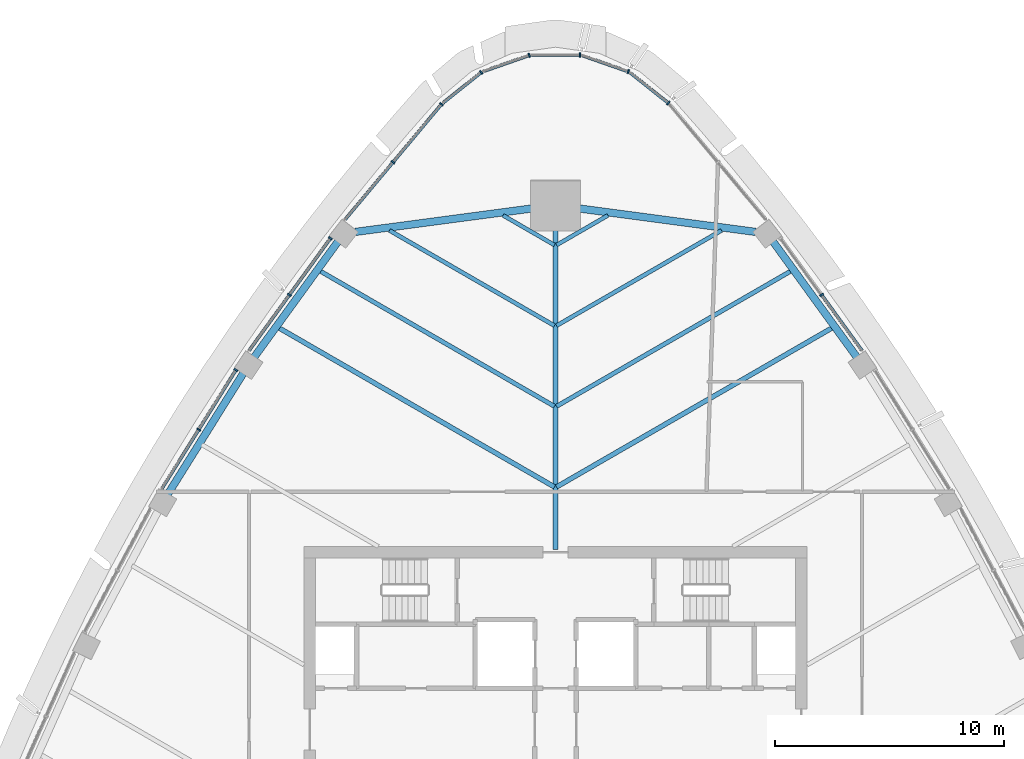
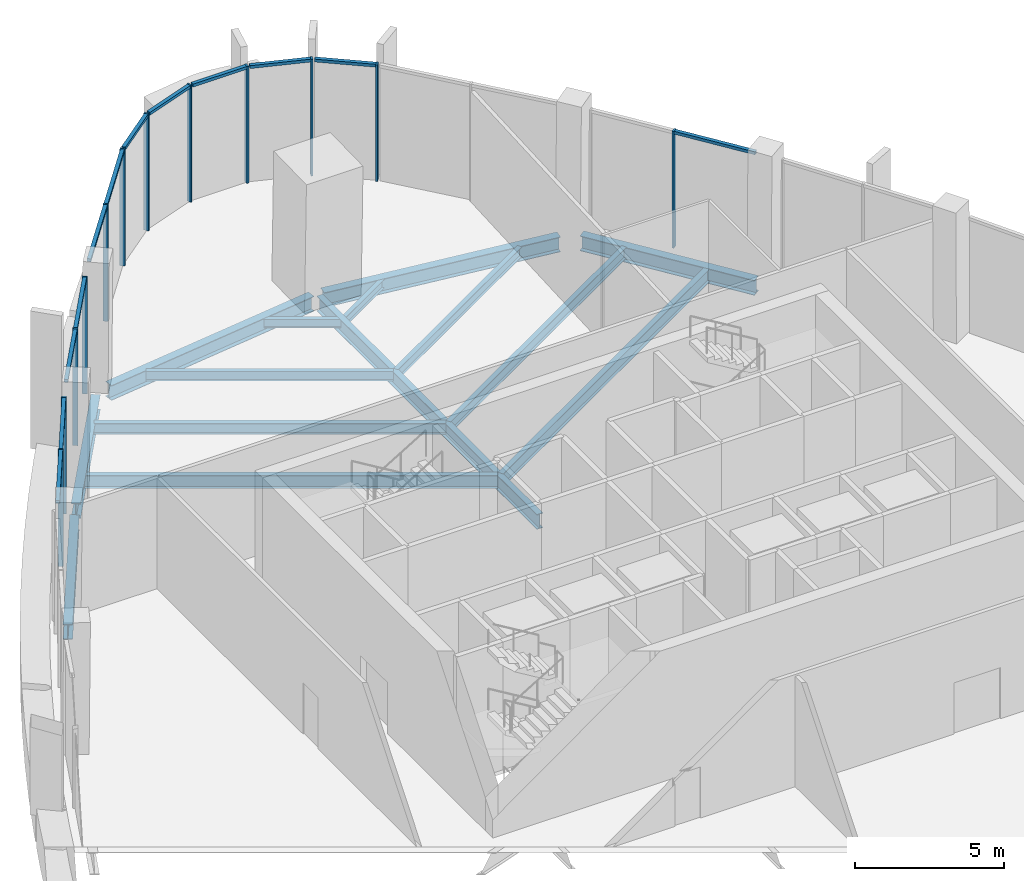
# One storey, part 5 of 19: 24 members, 14 beams, 9 elements without a shape of their own.
"""IFC4 building model written with IfcOpenShell, lengths in metres."""

from ifc_helpers import new_model, si_unit, direction, frame, origin, origin_2d, place, context, subcontext, project, spatial, rectangle, i_section, extrude, material, layer, layer_set, material_profile, profile_set, type_object, element, aggregate, save


model = new_model("IFC4")

# Units and contexts
model_context = context("Model", 3, precision=1e-05, world=origin(), true_north=direction((0.0, 1.0)))
body_context = subcontext(model_context, "Body", "Model", "MODEL_VIEW")
ifc_project = project(units=[si_unit("LENGTHUNIT", "METRE"), si_unit("AREAUNIT", "SQUARE_METRE"), si_unit("VOLUMEUNIT", "CUBIC_METRE"), si_unit("PLANEANGLEUNIT", "RADIAN"), si_unit("MASSUNIT", "GRAM", prefix="KILO")], contexts=[model_context])

# Site, building, storey
site_placement = place(None, origin())
site = spatial("IfcSite", under=ifc_project, at=site_placement, CompositionType="ELEMENT")
building_placement = place(site_placement, origin())
building = spatial("IfcBuilding", under=site, at=building_placement, Name="Sierra Prisma Convention Tower", CompositionType="ELEMENT")
storey_placement = place(building_placement, frame((0.0, 0.0, 319.0)))
storey = spatial("IfcBuildingStorey", under=building, at=storey_placement, Name="L73", CompositionType="ELEMENT", Elevation=319.0)

# Curtain wall, member
ifc_material_1 = material(Name="Aluminium and glass curtain wall", Category="aluminium")
ifc_layer = layer(ifc_material_1, 0.179931640625)
ifc_layer_set = layer_set([ifc_layer], Name="CW-1 Plain shaft curtain wall")
curtain_wall_type = type_object("IfcCurtainWallType", Name="CW-1 Plain shaft curtain wall", PredefinedType="NOTDEFINED", material=ifc_layer_set)
curtain_wall_1_placement = place(storey_placement, origin())
curtain_wall_1 = element("IfcCurtainWall", 1, at=curtain_wall_1_placement, inside=storey, type_object=curtain_wall_type, Name="CW-1 NE5 L73", PredefinedType="NOTDEFINED")
ifc_material_2 = material(Name="Aluminium 6063-T6 bronze anodised", Category="aluminium")
ifc_material_profile_1 = material_profile(ifc_material_2, rectangle(XDim=0.179931640625, YDim=0.070068359375, at=origin_2d()), Name="ALU MULLION 70x180")
ifc_profile_set_1 = profile_set([ifc_material_profile_1], Name="Aluminium 6063-T6 bronze anodised")
member_type_1 = type_object("IfcMemberType", Name="CW mullion bronze", PredefinedType="MULLION", material=ifc_profile_set_1)
member_1_placement = place(storey_placement, frame((11.6328125, 19.0009765625, 0.0), z_axis=(0.0, 0.0, 1.0), x_axis=(-0.80963201009, -0.586937823145, 0.0)))
member_1 = element("IfcMember", 2, at=member_1_placement, type_object=member_type_1, Name="CW-1 mullion NE5.2", PredefinedType="MULLION", context=body_context, shape_type="SweptSolid", body=[
    extrude(rectangle(XDim=0.179931640625, YDim=0.070068359375, at=origin_2d()), origin(), (0.0, 0.0, 1.0), 4.800048828125),
])

curtain_wall_2_placement = place(storey_placement, origin())
curtain_wall_2 = element("IfcCurtainWall", 3, at=curtain_wall_2_placement, inside=storey, type_object=curtain_wall_type, Name="CW-1 N1 L73", PredefinedType="NOTDEFINED")
member_2_placement = place(storey_placement, frame((4.9345703125, 27.38671875, 0.0), z_axis=(0.0, 0.0, 1.0), x_axis=(-0.622459853984, -0.782651729813, 0.0)))
member_2 = element("IfcMember", 4, at=member_2_placement, type_object=member_type_1, Name="CW-1 mullion N1.1", PredefinedType="MULLION", context=body_context, shape_type="SweptSolid", body=[
    extrude(rectangle(XDim=0.179931640625, YDim=0.070068359375, at=origin_2d()), origin(), (0.0, 0.0, 1.0), 4.800048828125),
])

curtain_wall_3_placement = place(storey_placement, origin())
curtain_wall_3 = element("IfcCurtainWall", 5, at=curtain_wall_3_placement, inside=storey, type_object=curtain_wall_type, Name="CW-1 N2 L73", PredefinedType="NOTDEFINED")
member_3_placement = place(storey_placement, frame((3.184814453125, 28.763427734375, 0.0), z_axis=(0.0, 0.0, 1.0), x_axis=(-0.329657602807, -0.944100558686, 0.0)))
member_3 = element("IfcMember", 6, at=member_3_placement, type_object=member_type_1, Name="CW-1 mullion N2.1", PredefinedType="MULLION", context=body_context, shape_type="SweptSolid", body=[
    extrude(rectangle(XDim=0.179931640625, YDim=0.070068359375, at=origin_2d()), origin(), (0.0, 0.0, 1.0), 4.800048828125),
])

curtain_wall_4_placement = place(storey_placement, origin())
curtain_wall_4 = element("IfcCurtainWall", 7, at=curtain_wall_4_placement, inside=storey, type_object=curtain_wall_type, Name="CW-1 N3 L73", PredefinedType="NOTDEFINED")
member_4_placement = place(storey_placement, frame((1.0791015625, 29.486572265625, 0.0), z_axis=(0.0, 0.0, 1.0), x_axis=(0.0, -1.0, 0.0)))
member_4 = element("IfcMember", 8, at=member_4_placement, type_object=member_type_1, Name="CW-1 mullion N3.1", PredefinedType="MULLION", context=body_context, shape_type="SweptSolid", body=[
    extrude(rectangle(XDim=0.179931640625, YDim=0.070068359375, at=origin_2d()), origin(), (0.0, 0.0, 1.0), 4.800048828125),
])

curtain_wall_5_placement = place(storey_placement, origin())
curtain_wall_5 = element("IfcCurtainWall", 9, at=curtain_wall_5_placement, inside=storey, type_object=curtain_wall_type, Name="CW-1 N4 L73", PredefinedType="NOTDEFINED")
member_5_placement = place(storey_placement, frame((-1.147216796875, 29.474853515625, 0.0), z_axis=(0.0, 0.0, 1.0), x_axis=(0.329657602807, -0.944100558686, 0.0)))
member_5 = element("IfcMember", 10, at=member_5_placement, type_object=member_type_1, Name="CW-1 mullion N4.1", PredefinedType="MULLION", context=body_context, shape_type="SweptSolid", body=[
    extrude(rectangle(XDim=0.179931640625, YDim=0.070068359375, at=origin_2d()), origin(), (0.0, 0.0, 1.0), 4.800048828125),
])

curtain_wall_6_placement = place(storey_placement, origin())
curtain_wall_6 = element("IfcCurtainWall", 11, at=curtain_wall_6_placement, inside=storey, type_object=curtain_wall_type, Name="CW-1 N5 L73", PredefinedType="NOTDEFINED")
member_6_placement = place(storey_placement, frame((-3.245361328125, 28.730224609375, 0.0), z_axis=(0.0, 0.0, 1.0), x_axis=(0.622459853984, -0.782651729813, 0.0)))
member_6 = element("IfcMember", 12, at=member_6_placement, type_object=member_type_1, Name="CW-1 mullion N5.1", PredefinedType="MULLION", context=body_context, shape_type="SweptSolid", body=[
    extrude(rectangle(XDim=0.179931640625, YDim=0.070068359375, at=origin_2d()), origin(), (0.0, 0.0, 1.0), 4.800048828125),
])

# Curtain wall, members
curtain_wall_7_placement = place(storey_placement, origin())
curtain_wall_7 = element("IfcCurtainWall", 13, at=curtain_wall_7_placement, inside=storey, type_object=curtain_wall_type, Name="CW-1 NW1 L73", PredefinedType="NOTDEFINED")
member_7_placement = place(storey_placement, frame((-4.984375, 27.338134765625, 0.0), z_axis=(0.0, 0.0, 1.0), x_axis=(0.767165028207, -0.641449779403, 0.0)))
member_7 = element("IfcMember", 14, at=member_7_placement, type_object=member_type_1, Name="CW-1 mullion NW1.1", PredefinedType="MULLION", context=body_context, shape_type="SweptSolid", body=[
    extrude(rectangle(XDim=0.179931640625, YDim=0.070068359375, at=origin_2d()), origin(), (0.0, 0.0, 1.0), 4.800048828125),
])
member_8_placement = place(storey_placement, frame((-7.101806640625, 24.8056640625, 0.0), z_axis=(0.0, 0.0, 1.0), x_axis=(0.767165028207, -0.641449779403, 0.0)))
member_8 = element("IfcMember", 15, at=member_8_placement, type_object=member_type_1, Name="CW-1 mullion NW1.2", PredefinedType="MULLION", context=body_context, shape_type="SweptSolid", body=[
    extrude(rectangle(XDim=0.179931640625, YDim=0.070068359375, at=origin_2d()), origin(), (0.0, 0.0, 1.0), 4.800048828125),
])

curtain_wall_8_placement = place(storey_placement, origin())
curtain_wall_8 = element("IfcCurtainWall", 16, at=curtain_wall_8_placement, inside=storey, type_object=curtain_wall_type, Name="CW-1 NW2 L73", PredefinedType="NOTDEFINED")
member_9_placement = place(storey_placement, frame((-9.840576171875, 21.47314453125, 0.0), z_axis=(0.0, 0.0, 1.0), x_axis=(0.80963201009, -0.586937823145, 0.0)))
member_9 = element("IfcMember", 17, at=member_9_placement, type_object=member_type_1, Name="CW-1 mullion NW2.1", PredefinedType="MULLION", context=body_context, shape_type="SweptSolid", body=[
    extrude(rectangle(XDim=0.179931640625, YDim=0.070068359375, at=origin_2d()), origin(), (0.0, 0.0, 1.0), 4.800048828125),
])
member_10_placement = place(storey_placement, frame((-11.63330078125, 19.000244140625, 0.0), z_axis=(0.0, 0.0, 1.0), x_axis=(0.80963201009, -0.586937823145, 0.0)))
member_10 = element("IfcMember", 18, at=member_10_placement, type_object=member_type_1, Name="CW-1 mullion NW2.2", PredefinedType="MULLION", context=body_context, shape_type="SweptSolid", body=[
    extrude(rectangle(XDim=0.179931640625, YDim=0.070068359375, at=origin_2d()), origin(), (0.0, 0.0, 1.0), 4.800048828125),
])

curtain_wall_9_placement = place(storey_placement, origin())
curtain_wall_9 = element("IfcCurtainWall", 19, at=curtain_wall_9_placement, inside=storey, type_object=curtain_wall_type, Name="CW-1 NW3 L73", PredefinedType="NOTDEFINED")
member_11_placement = place(storey_placement, frame((-13.973876953125, 15.713134765625, 0.0), z_axis=(0.0, 0.0, 1.0), x_axis=(0.848233000795, -0.529623240013, 0.0)))
member_11 = element("IfcMember", 20, at=member_11_placement, type_object=member_type_1, Name="CW-1 mullion NW3.1", PredefinedType="MULLION", context=body_context, shape_type="SweptSolid", body=[
    extrude(rectangle(XDim=0.179931640625, YDim=0.070068359375, at=origin_2d()), origin(), (0.0, 0.0, 1.0), 4.800048828125),
])
member_12_placement = place(storey_placement, frame((-15.599853515625, 13.109130859375, 0.0), z_axis=(0.0, 0.0, 1.0), x_axis=(0.848233000795, -0.529623240013, 0.0)))
member_12 = element("IfcMember", 21, at=member_12_placement, type_object=member_type_1, Name="CW-1 mullion NW3.2", PredefinedType="MULLION", context=body_context, shape_type="SweptSolid", body=[
    extrude(rectangle(XDim=0.179931640625, YDim=0.070068359375, at=origin_2d()), origin(), (0.0, 0.0, 1.0), 4.800048828125),
])

# Member
ifc_material_3 = material(Name="Aluminium 6063-T6 bronze anodised", Category="aluminium")
ifc_material_profile_2 = material_profile(ifc_material_3, rectangle(XDim=0.139892578125, YDim=0.1201171875, at=origin_2d()), Name="ALU TRANSOM 120x140")
ifc_profile_set_2 = profile_set([ifc_material_profile_2], Name="Aluminium 6063-T6 bronze anodised")
member_type_2 = type_object("IfcMemberType", Name="CW transom bronze", PredefinedType="USERDEFINED", material=ifc_profile_set_2)
member_13_placement = place(storey_placement, frame((13.4052734375, 16.5556640625, 4.739990234375), z_axis=(-0.586887157533, 0.8096687374, 0.0), x_axis=(-0.8096687374, -0.586887157533, 0.0)))
member_13 = element("IfcMember", 22, at=member_13_placement, type_object=member_type_2, Name="CW-1 transom NE5.1", ObjectType="TRANSOM", PredefinedType="USERDEFINED", context=body_context, shape_type="SweptSolid", body=[
    extrude(rectangle(XDim=0.139892578125, YDim=0.1201171875, at=origin_2d()), origin(), (0.0, 0.0, 1.0), 2.985107421875),
])

aggregate(curtain_wall_1, [member_1, member_13])

member_14_placement = place(storey_placement, frame((4.906982421875, 27.408447265625, 4.739990234375), z_axis=(-0.782645067311, 0.622468231008, 0.0), x_axis=(-0.622468231008, -0.782645067311, 0.0)))
member_14 = element("IfcMember", 23, at=member_14_placement, type_object=member_type_2, Name="CW-1 transom N1.1", ObjectType="TRANSOM", PredefinedType="USERDEFINED", context=body_context, shape_type="SweptSolid", body=[
    extrude(rectangle(XDim=0.139892578125, YDim=0.1201171875, at=origin_2d()), origin(), (0.0, 0.0, 1.0), 2.088134765625),
])

aggregate(curtain_wall_2, [member_2, member_14])

member_15_placement = place(storey_placement, frame((3.15185546875, 28.77490234375, 4.739990234375), z_axis=(-0.944098678993, 0.329662985978, 0.0), x_axis=(-0.329662985978, -0.944098678993, 0.0)))
member_15 = element("IfcMember", 24, at=member_15_placement, type_object=member_type_2, Name="CW-1 transom N2.1", ObjectType="TRANSOM", PredefinedType="USERDEFINED", context=body_context, shape_type="SweptSolid", body=[
    extrude(rectangle(XDim=0.139892578125, YDim=0.1201171875, at=origin_2d()), origin(), (0.0, 0.0, 1.0), 2.08837890625),
])

aggregate(curtain_wall_3, [member_3, member_15])

member_16_placement = place(storey_placement, frame((1.044189453125, 29.486572265625, 4.739990234375), z_axis=(-1.0, 0.0, 0.0), x_axis=(0.0, -1.0, 0.0)))
member_16 = element("IfcMember", 25, at=member_16_placement, type_object=member_type_2, Name="CW-1 transom N3.1", ObjectType="TRANSOM", PredefinedType="USERDEFINED", context=body_context, shape_type="SweptSolid", body=[
    extrude(rectangle(XDim=0.139892578125, YDim=0.1201171875, at=origin_2d()), origin(), (0.0, 0.0, 1.0), 2.08837890625),
])

aggregate(curtain_wall_4, [member_4, member_16])

member_17_placement = place(storey_placement, frame((-1.18017578125, 29.46337890625, 4.739990234375), z_axis=(-0.944098678993, -0.329662985978, 0.0), x_axis=(0.329662985978, -0.944098678993, 0.0)))
member_17 = element("IfcMember", 26, at=member_17_placement, type_object=member_type_2, Name="CW-1 transom N4.1", ObjectType="TRANSOM", PredefinedType="USERDEFINED", context=body_context, shape_type="SweptSolid", body=[
    extrude(rectangle(XDim=0.139892578125, YDim=0.1201171875, at=origin_2d()), origin(), (0.0, 0.0, 1.0), 2.08837890625),
])

aggregate(curtain_wall_5, [member_5, member_17])

member_18_placement = place(storey_placement, frame((-3.272705078125, 28.708251953125, 4.739990234375), z_axis=(-0.782645067311, -0.622468231008, 0.0), x_axis=(0.622468231008, -0.782645067311, 0.0)))
member_18 = element("IfcMember", 27, at=member_18_placement, type_object=member_type_2, Name="CW-1 transom N5.1", ObjectType="TRANSOM", PredefinedType="USERDEFINED", context=body_context, shape_type="SweptSolid", body=[
    extrude(rectangle(XDim=0.139892578125, YDim=0.1201171875, at=origin_2d()), origin(), (0.0, 0.0, 1.0), 2.088134765625),
])

aggregate(curtain_wall_6, [member_6, member_18])

member_19_placement = place(storey_placement, frame((-5.0068359375, 27.311279296875, 4.739990234375), z_axis=(-0.641439595197, -0.767173543413, 0.0), x_axis=(0.767173543413, -0.641439595197, 0.0)))
member_19 = element("IfcMember", 28, at=member_19_placement, type_object=member_type_2, Name="CW-1 transom NW1.1", ObjectType="TRANSOM", PredefinedType="USERDEFINED", context=body_context, shape_type="SweptSolid", body=[
    extrude(rectangle(XDim=0.139892578125, YDim=0.1201171875, at=origin_2d()), origin(), (0.0, 0.0, 1.0), 3.23095703125),
])

member_20_placement = place(storey_placement, frame((-7.124267578125, 24.77880859375, 4.739990234375), z_axis=(-0.641439595197, -0.767173543413, 0.0), x_axis=(0.767173543413, -0.641439595197, 0.0)))
member_20 = element("IfcMember", 29, at=member_20_placement, type_object=member_type_2, Name="CW-1 transom NW1.2", ObjectType="TRANSOM", PredefinedType="USERDEFINED", context=body_context, shape_type="SweptSolid", body=[
    extrude(rectangle(XDim=0.139892578125, YDim=0.1201171875, at=origin_2d()), origin(), (0.0, 0.0, 1.0), 3.23095703125),
])

aggregate(curtain_wall_7, [member_7, member_8, member_19, member_20])

member_21_placement = place(storey_placement, frame((-9.861083984375, 21.44482421875, 4.739990234375), z_axis=(-0.586950144636, -0.809623077556, 0.0), x_axis=(0.809623077556, -0.586950144636, 0.0)))
member_21 = element("IfcMember", 30, at=member_21_placement, type_object=member_type_2, Name="CW-1 transom NW2.1", ObjectType="TRANSOM", PredefinedType="USERDEFINED", context=body_context, shape_type="SweptSolid", body=[
    extrude(rectangle(XDim=0.139892578125, YDim=0.1201171875, at=origin_2d()), origin(), (0.0, 0.0, 1.0), 2.984375),
])

member_22_placement = place(storey_placement, frame((-11.65380859375, 18.971923828125, 4.739990234375), z_axis=(-0.58689651852, -0.80966195202, 0.0), x_axis=(0.80966195202, -0.58689651852, 0.0)))
member_22 = element("IfcMember", 31, at=member_22_placement, type_object=member_type_2, Name="CW-1 transom NW2.2", ObjectType="TRANSOM", PredefinedType="USERDEFINED", context=body_context, shape_type="SweptSolid", body=[
    extrude(rectangle(XDim=0.139892578125, YDim=0.1201171875, at=origin_2d()), origin(), (0.0, 0.0, 1.0), 2.984375),
])

aggregate(curtain_wall_8, [member_9, member_10, member_21, member_22])

member_23_placement = place(storey_placement, frame((-13.9921875, 15.68359375, 4.739990234375), z_axis=(-0.529647808083, -0.848217660387, 0.0), x_axis=(0.848217660387, -0.529647808083, 0.0)))
member_23 = element("IfcMember", 32, at=member_23_placement, type_object=member_type_2, Name="CW-1 transom NW3.1", ObjectType="TRANSOM", PredefinedType="USERDEFINED", context=body_context, shape_type="SweptSolid", body=[
    extrude(rectangle(XDim=0.139892578125, YDim=0.1201171875, at=origin_2d()), origin(), (0.0, 0.0, 1.0), 3.000244140625),
])

member_24_placement = place(storey_placement, frame((-15.6181640625, 13.079345703125, 4.739990234375), z_axis=(-0.529684366849, -0.848194831106, 0.0), x_axis=(0.848194831106, -0.529684366849, 0.0)))
member_24 = element("IfcMember", 33, at=member_24_placement, type_object=member_type_2, Name="CW-1 transom NW3.2", ObjectType="TRANSOM", PredefinedType="USERDEFINED", context=body_context, shape_type="SweptSolid", body=[
    extrude(rectangle(XDim=0.139892578125, YDim=0.1201171875, at=origin_2d()), origin(), (0.0, 0.0, 1.0), 3.0),
])

aggregate(curtain_wall_9, [member_11, member_12, member_23, member_24])

# Beams
ifc_material_4 = material(Name="Steel ASTM A992 Gr 50", Category="steel")
ifc_material_profile_3 = material_profile(ifc_material_4, i_section(OverallWidth=0.172119140625, OverallDepth=0.35791015625, WebThickness=0.0078125, FlangeThickness=0.01318359375, at=origin_2d()), Name="W360x57")
ifc_profile_set_3 = profile_set([ifc_material_profile_3], Name="Steel ASTM A992 Gr 50")
beam_type_1 = type_object("IfcBeamType", Name="Floor joist W360x57", PredefinedType="JOIST", material=ifc_profile_set_3)
for number, where, z_axis, x_axis, name in (
    (34, (2.29443359375, 22.477783203125, -0.3291015625), (-0.866041526567, -0.499972073481, 0.0), (0.499972073481, -0.866041526567, 0.0), "Floor joist L73 NE13"),
    (35, (-2.29443359375, 22.477783203125, -0.3291015625), (0.866041526567, -0.499972073481, 0.0), (0.499972073481, 0.866041526567, 0.0), "Floor joist L73 NW01"),
):
    element("IfcBeam", number, at=place(storey_placement, frame(where, z_axis=z_axis, x_axis=x_axis)), inside=storey, type_object=beam_type_1, Name=name, PredefinedType="JOIST", context=body_context, shape_type="SweptSolid", body=[
        extrude(i_section(OverallWidth=0.172119140625, OverallDepth=0.35791015625, WebThickness=0.0078125, FlangeThickness=0.01318359375, at=origin_2d()), origin(), (0.0, 0.0, 1.0), 2.596435546875),
    ])
ifc_material_5 = material(Name="Steel ASTM A992 Gr 50", Category="steel")
ifc_material_profile_4 = material_profile(ifc_material_5, i_section(OverallWidth=0.177978515625, OverallDepth=0.406982421875, WebThickness=0.0078125, FlangeThickness=0.0126953125, at=origin_2d()), Name="W410x60")
ifc_profile_set_4 = profile_set([ifc_material_profile_4], Name="Steel ASTM A992 Gr 50")
beam_type_2 = type_object("IfcBeamType", Name="Floor joist W410x60", PredefinedType="JOIST", material=ifc_profile_set_4)
for number, where, z_axis, x_axis, name in (
    (36, (7.258056640625, 21.818115234375, -0.353515625), (-0.866031805484, -0.499988911768, 0.0), (0.499988911768, -0.866031805484, 0.0), "Floor joist L73 NE12"),
    (37, (-7.258056640625, 21.818115234375, -0.353515625), (0.866031805484, -0.499988911768, 0.0), (0.499988911768, 0.866031805484, 0.0), "Floor joist L73 NW02"),
):
    element("IfcBeam", number, at=place(storey_placement, frame(where, z_axis=z_axis, x_axis=x_axis)), inside=storey, type_object=beam_type_2, Name=name, PredefinedType="JOIST", context=body_context, shape_type="SweptSolid", body=[
        extrude(i_section(OverallWidth=0.177978515625, OverallDepth=0.406982421875, WebThickness=0.0078125, FlangeThickness=0.0126953125, at=origin_2d()), origin(), (0.0, 0.0, 1.0), 8.327880859375),
    ])
ifc_material_6 = material(Name="Steel ASTM A992 Gr 50", Category="steel")
ifc_material_profile_5 = material_profile(ifc_material_6, i_section(OverallWidth=0.18994140625, OverallDepth=0.45703125, WebThickness=0.009033203125, FlangeThickness=0.014404296875, at=origin_2d()), Name="W460x74")
ifc_profile_set_5 = profile_set([ifc_material_profile_5], Name="Steel ASTM A992 Gr 50")
beam_type_3 = type_object("IfcBeamType", Name="Floor joist W460x74", PredefinedType="JOIST", material=ifc_profile_set_5)
for number, where, z_axis, x_axis, name in (
    (38, (10.30126953125, 20.049560546875, -0.37841796875), (-0.866026969698, -0.499997287748, 0.0), (0.499997287748, -0.866026969698, 0.0), "Floor joist L73 NE11"),
    (39, (-10.30126953125, 20.049560546875, -0.37841796875), (0.866026969698, -0.499997287748, 0.0), (0.499997287748, 0.866026969698, 0.0), "Floor joist L73 NW03"),
):
    element("IfcBeam", number, at=place(storey_placement, frame(where, z_axis=z_axis, x_axis=x_axis)), inside=storey, type_object=beam_type_3, Name=name, PredefinedType="JOIST", context=body_context, shape_type="SweptSolid", body=[
        extrude(i_section(OverallWidth=0.18994140625, OverallDepth=0.45703125, WebThickness=0.009033203125, FlangeThickness=0.014404296875, at=origin_2d()), origin(), (0.0, 0.0, 1.0), 11.841796875),
    ])
ifc_material_7 = material(Name="Steel ASTM A992 Gr 50", Category="steel")
ifc_material_profile_6 = material_profile(ifc_material_7, i_section(OverallWidth=0.208984375, OverallDepth=0.532958984375, WebThickness=0.01025390625, FlangeThickness=0.015625, at=origin_2d()), Name="W530x92")
ifc_profile_set_6 = profile_set([ifc_material_profile_6], Name="Steel ASTM A992 Gr 50")
beam_type_4 = type_object("IfcBeamType", Name="Floor joist W530x92", PredefinedType="JOIST", material=ifc_profile_set_6)
for number, where, z_axis, x_axis, name in (
    (40, (12.10302734375, 17.564208984375, -0.41650390625), (-0.866033151853, -0.499986579711, 0.0), (0.499986579711, -0.866033151853, 0.0), "Floor joist L73 NE10"),
    (41, (-12.10302734375, 17.564208984375, -0.41650390625), (0.866033151853, -0.499986579711, 0.0), (0.499986579711, 0.866033151853, 0.0), "Floor joist L73 NW04"),
):
    element("IfcBeam", number, at=place(storey_placement, frame(where, z_axis=z_axis, x_axis=x_axis)), inside=storey, type_object=beam_type_4, Name=name, PredefinedType="JOIST", context=body_context, shape_type="SweptSolid", body=[
        extrude(i_section(OverallWidth=0.208984375, OverallDepth=0.532958984375, WebThickness=0.01025390625, FlangeThickness=0.015625, at=origin_2d()), origin(), (0.0, 0.0, 1.0), 13.92236328125),
    ])
ifc_material_8 = material(Name="Steel ASTM A992 Gr 50", Category="steel")
ifc_material_profile_7 = material_profile(ifc_material_8, i_section(OverallWidth=0.22998046875, OverallDepth=0.616943359375, WebThickness=0.01318359375, FlangeThickness=0.022216796875, at=origin_2d()), Name="W610x140")
ifc_profile_set_7 = profile_set([ifc_material_profile_7], Name="Steel ASTM A992 Gr 50")
beam_type_5 = type_object("IfcBeamType", Name="Radial girder W610x140", PredefinedType="BEAM", material=ifc_profile_set_7)
beam_1_placement = place(storey_placement, frame((0.0, 22.696044921875, -0.45849609375), z_axis=(0.0, -1.0, 0.0), x_axis=(1.0, 0.0, 0.0)))
element("IfcBeam", 42, at=beam_1_placement, inside=storey, type_object=beam_type_5, Name="Radial girder L73 N", PredefinedType="BEAM", context=body_context, shape_type="SweptSolid", body=[
    extrude(i_section(OverallWidth=0.22998046875, OverallDepth=0.616943359375, WebThickness=0.01318359375, FlangeThickness=0.022216796875, at=origin_2d()), origin(), (0.0, 0.0, 1.0), 14.816162109375),
])
ifc_material_9 = material(Name="Steel ASTM A992 Gr 50", Category="steel")
ifc_material_profile_8 = material_profile(ifc_material_9, i_section(OverallWidth=0.324951171875, OverallDepth=0.615966796875, WebThickness=0.013916015625, FlangeThickness=0.021484375, at=origin_2d()), Name="W610x174")
ifc_profile_set_8 = profile_set([ifc_material_profile_8], Name="Steel ASTM A992 Gr 50")
beam_type_6 = type_object("IfcBeamType", Name="Spandrel beam W610x174", PredefinedType="BEAM", material=ifc_profile_set_8)
beam_2_placement = place(storey_placement, frame((13.2265625, 16.206787109375, -0.4580078125), z_axis=(-0.586978136576, 0.809602783581, 0.0), x_axis=(-0.809602783581, -0.586978136576, 0.0)))
element("IfcBeam", 43, at=beam_2_placement, inside=storey, type_object=beam_type_6, Name="Spandrel L73-11", PredefinedType="BEAM", context=body_context, shape_type="SweptSolid", body=[
    extrude(i_section(OverallWidth=0.324951171875, OverallDepth=0.615966796875, WebThickness=0.013916015625, FlangeThickness=0.021484375, at=origin_2d()), origin(), (0.0, 0.0, 1.0), 6.437255859375),
])
for number, where, z_axis, x_axis, name in (
    (44, (8.74755859375, 21.753173828125, -0.4580078125), (-0.9912806156, 0.131767754537, 0.0), (-0.131767754537, -0.9912806156, 0.0), "Spandrel L73-12"),
    (45, (-0.219970703125, 22.88671875, -0.4580078125), (-0.9912806156, -0.131767754537, 0.0), (0.131767754537, -0.9912806156, 0.0), "Spandrel L73-13"),
):
    element("IfcBeam", number, at=place(storey_placement, frame(where, z_axis=z_axis, x_axis=x_axis)), inside=storey, type_object=beam_type_6, Name=name, PredefinedType="BEAM", context=body_context, shape_type="SweptSolid", body=[
        extrude(i_section(OverallWidth=0.324951171875, OverallDepth=0.615966796875, WebThickness=0.013916015625, FlangeThickness=0.021484375, at=origin_2d()), origin(), (0.0, 0.0, 1.0), 8.6025390625),
    ])
beam_3_placement = place(storey_placement, frame((-9.447998046875, 21.41845703125, -0.4580078125), z_axis=(-0.586978136576, -0.809602783581, 0.0), x_axis=(0.809602783581, -0.586978136576, 0.0)))
element("IfcBeam", 46, at=beam_3_placement, inside=storey, type_object=beam_type_6, Name="Spandrel L73-14", PredefinedType="BEAM", context=body_context, shape_type="SweptSolid", body=[
    extrude(i_section(OverallWidth=0.324951171875, OverallDepth=0.615966796875, WebThickness=0.013916015625, FlangeThickness=0.021484375, at=origin_2d()), origin(), (0.0, 0.0, 1.0), 6.437255859375),
])
beam_4_placement = place(storey_placement, frame((-13.59521484375, 15.6591796875, -0.4580078125), z_axis=(-0.529623898518, -0.848232589635, 0.0), x_axis=(0.848232589635, -0.529623898518, 0.0)))
element("IfcBeam", 47, at=beam_4_placement, inside=storey, type_object=beam_type_6, Name="Spandrel L73-15", PredefinedType="BEAM", context=body_context, shape_type="SweptSolid", body=[
    extrude(i_section(OverallWidth=0.324951171875, OverallDepth=0.615966796875, WebThickness=0.013916015625, FlangeThickness=0.021484375, at=origin_2d()), origin(), (0.0, 0.0, 1.0), 6.4375),
])

save(model, "model.ifc")
